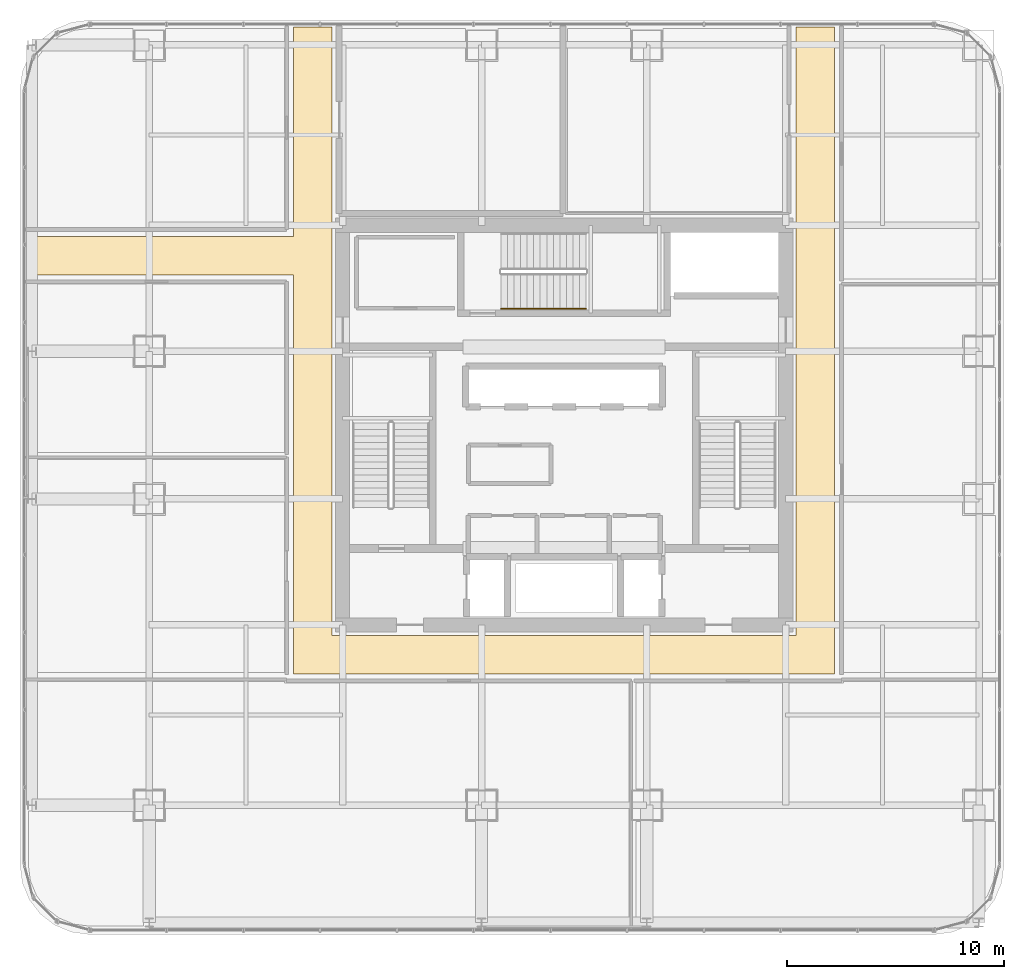
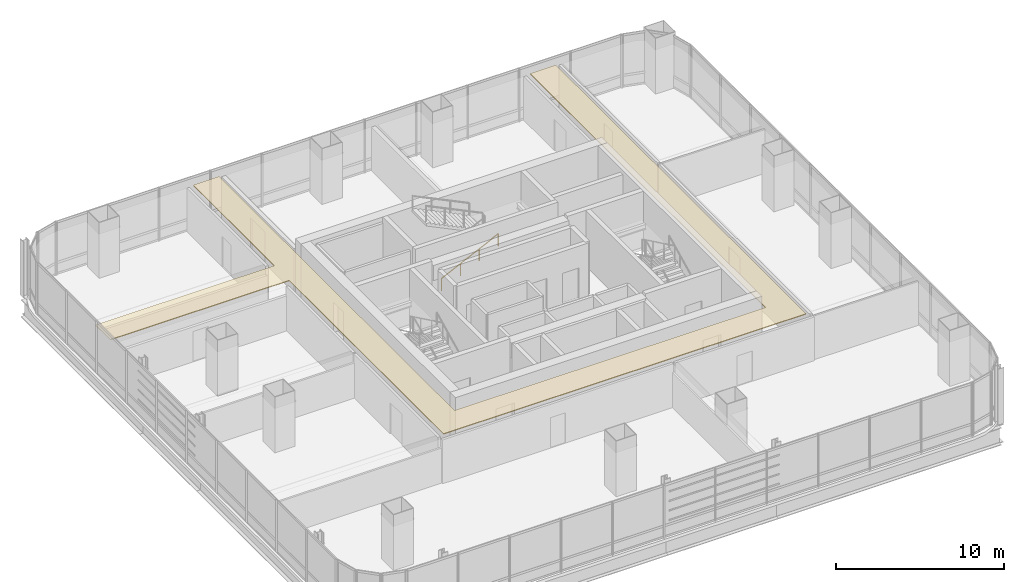
# One storey, part 34 of 36: 1 covering, 1 railing.
"""IFC4 building model written with IfcOpenShell, lengths in metres."""

from ifc_helpers import new_model, si_unit, direction, frame, origin, origin_2d, place, context, subcontext, project, spatial, polyline, circle, outline, extrude, material, layer, layer_set, type_object, element, save


model = new_model("IFC4")

# Units and contexts
model_context = context("Model", 3, precision=1e-05, world=origin(), true_north=direction((0.0, 1.0)))
body_context = subcontext(model_context, "Body", "Model", "MODEL_VIEW")
ifc_project = project(units=[si_unit("LENGTHUNIT", "METRE"), si_unit("AREAUNIT", "SQUARE_METRE"), si_unit("VOLUMEUNIT", "CUBIC_METRE"), si_unit("PLANEANGLEUNIT", "RADIAN"), si_unit("MASSUNIT", "GRAM", prefix="KILO")], contexts=[model_context])

# Site, building, storey
site_placement = place(None, origin())
site = spatial("IfcSite", under=ifc_project, at=site_placement, CompositionType="ELEMENT")
building_placement = place(site_placement, origin())
building = spatial("IfcBuilding", under=site, at=building_placement, Name="Punatoya Terracotta Tower", CompositionType="ELEMENT")
storey_placement = place(building_placement, frame((0.0, 0.0, 180.300048828125)))
storey = spatial("IfcBuildingStorey", under=building, at=storey_placement, Name="L42", CompositionType="ELEMENT", Elevation=180.300048828125)

# Covering
ifc_material_1 = material(Name="Acoustic Mineral Fibre Ceiling")
ifc_layer = layer(ifc_material_1, 0.06005859375)
ifc_layer_set = layer_set([ifc_layer], Name="Acoustic Mineral Fibre Ceiling")
covering_type = type_object("IfcCoveringType", Name="COV-CEIL-60", PredefinedType="CEILING", material=ifc_layer_set)
covering_placement = place(storey_placement, frame((0.0, 0.0, 3.219970703125)))
element("IfcCovering", 1, at=covering_placement, inside=storey, type_object=covering_type, Name="L42 Central Spine Circulation Corridor Acoustic Ceiling", PredefinedType="CEILING", context=body_context, shape_type="SweptSolid", body=[
    extrude(outline(polyline([(10.679931640625, -9.679931640625), (-10.679931640625, -9.679931640625), (-10.679931640625, 18.330078125), (-12.449951171875, 18.330078125), (-12.449951171875, 8.679931640625), (-24.72998046875, 8.679931640625), (-24.72998046875, 6.919921875), (-12.449951171875, 6.919921875), (-12.449951171875, -11.449951171875), (12.449951171875, -11.449951171875), (12.449951171875, 18.330078125), (10.679931640625, 18.330078125), (10.679931640625, -9.679931640625)])), origin(), (0.0, 0.0, 1.0), 0.06005859375),
])

# Railing
ifc_material_2 = material(Name="Steel S355", Category="steel")
railing_type = type_object("IfcRailingType", Name="RLG-HND-900", PredefinedType="HANDRAIL", material=ifc_material_2)
railing_placement = place(storey_placement, frame((-2.89990234375, 5.35009765625, 0.14453125)))
element("IfcRailing", 2, at=railing_placement, inside=storey, type_object=railing_type, Name="L42 ST-3 stair handrail 1", PredefinedType="HANDRAIL", context=body_context, shape_type="SweptSolid", body=[
    extrude(circle(Radius=0.02392578125, at=origin_2d()), frame((0.0, 0.0, 0.8759765625), z_axis=(0.900763166376, 0.0, 0.434310623978), x_axis=(0.0, 1.0, 0.0)), (0.0, 0.0, 1.0), 4.32958984375),
    extrude(circle(Radius=0.02099609375, at=origin_2d()), origin(), (0.0, 0.0, 1.0), 0.851806640625),
    extrude(circle(Radius=0.02099609375, at=origin_2d()), frame((1.300048828125, 0.0, 0.626708984375)), (0.0, 0.0, 1.0), 0.851806640625),
    extrude(circle(Radius=0.02099609375, at=origin_2d()), frame((2.599853515625, 0.0, 1.253662109375)), (0.0, 0.0, 1.0), 0.851806640625),
    extrude(circle(Radius=0.02099609375, at=origin_2d()), frame((3.89990234375, 0.0, 1.88037109375)), (0.0, 0.0, 1.0), 0.851806640625),
])

save(model, "model.ifc")
